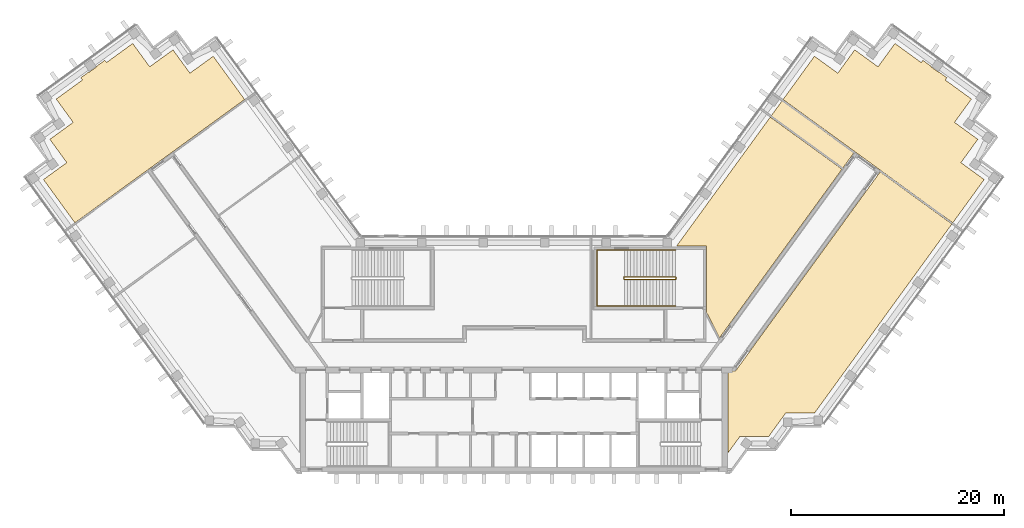
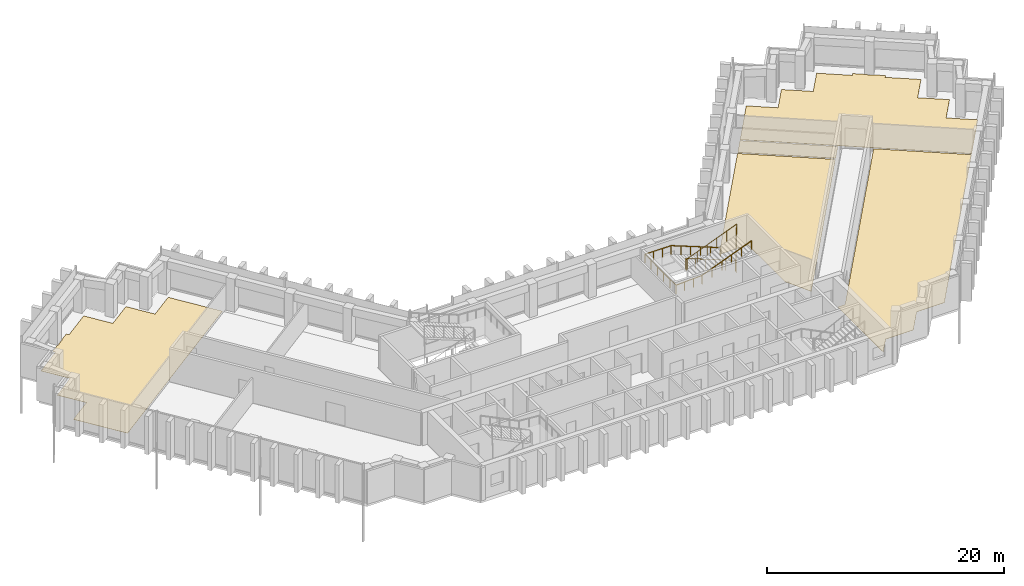
# One storey, part 13 of 13: 5 coverings, 2 railings.
"""IFC4 building model written with IfcOpenShell, lengths in metres."""

from ifc_helpers import new_model, si_unit, direction, frame, origin, origin_2d, place, context, subcontext, project, spatial, polyline, circle, outline, extrude, material, layer, layer_set, type_object, element, save


model = new_model("IFC4")

# Units and contexts
model_context = context("Model", 3, precision=1e-05, world=origin(), true_north=direction((0.0, 1.0)))
body_context = subcontext(model_context, "Body", "Model", "MODEL_VIEW")
ifc_project = project(units=[si_unit("LENGTHUNIT", "METRE"), si_unit("AREAUNIT", "SQUARE_METRE"), si_unit("VOLUMEUNIT", "CUBIC_METRE"), si_unit("PLANEANGLEUNIT", "RADIAN"), si_unit("MASSUNIT", "GRAM", prefix="KILO")], contexts=[model_context])

# Site, building, storey
site_placement = place(None, origin())
site = spatial("IfcSite", under=ifc_project, at=site_placement, CompositionType="ELEMENT")
building_placement = place(site_placement, origin())
building = spatial("IfcBuilding", under=site, at=building_placement, Name="Quipu Civic Tower", CompositionType="ELEMENT")
storey_placement = place(building_placement, frame((0.0, 0.0, 184.0)))
storey = spatial("IfcBuildingStorey", under=building, at=storey_placement, Name="L43", CompositionType="ELEMENT", Elevation=184.0)

# Coverings
ifc_material_1 = material(Name="Carpet tile on raised access floor")
ifc_layer_1 = layer(ifc_material_1, 0.02001953125)
ifc_layer_set_1 = layer_set([ifc_layer_1], Name="Carpet tile on raised access floor")
covering_type_1 = type_object("IfcCoveringType", Name="Carpet tile floor finish 20", PredefinedType="FLOORING", material=ifc_layer_set_1)
covering_1_placement = place(storey_placement, origin())
element("IfcCovering", 1, at=covering_1_placement, inside=storey, type_object=covering_type_1, Name="Carpet tile floor finish 20", PredefinedType="FLOORING", context=body_context, shape_type="SweptSolid", body=[
    extrude(outline(polyline([(-44.074951171875, 16.4140625), (-41.89208984375, 17.9990234375), (-43.47802734375, 20.18505859375), (-41.2939453125, 21.77294921875), (-42.881103515625, 23.95703125), (-40.424072265625, 25.740966796875), (-40.574951171875, 25.952880859375), (-39.81298828125, 26.507080078125), (-39.80908203125, 26.5029296875), (-39.804931640625, 26.5009765625), (-39.801025390625, 26.498046875), (-39.7958984375, 26.49609375), (-39.7919921875, 26.4951171875), (-39.787109375, 26.493896484375), (-39.781982421875, 26.492919921875), (-39.777099609375, 26.492919921875), (-39.77197265625, 26.493896484375), (-39.76806640625, 26.4951171875), (-39.762939453125, 26.49609375), (-39.758056640625, 26.498046875), (-39.75390625, 26.5), (-39.75, 26.5029296875), (-39.10302734375, 26.972900390625), (-39.09912109375, 26.97607421875), (-39.094970703125, 26.97998046875), (-39.092041015625, 26.98291015625), (-39.089111328125, 26.987060546875), (-39.0869140625, 26.991943359375), (-39.0849609375, 26.99609375), (-39.083984375, 27.0009765625), (-39.0830078125, 27.006103515625), (-39.08203125, 27.010986328125), (-39.08203125, 27.014892578125), (-39.08203125, 27.02001953125), (-39.0830078125, 27.02490234375), (-39.0849609375, 27.030029296875), (-39.0869140625, 27.033935546875), (-38.324951171875, 27.587890625), (-38.169921875, 27.37890625), (-35.712890625, 29.1640625), (-34.126953125, 26.97998046875), (-31.94091796875, 28.56591796875), (-30.35400390625, 26.383056640625), (-28.169921875, 27.968994140625), (-25.22607421875, 23.916015625), (-41.131103515625, 12.360107421875), (-44.074951171875, 16.4140625)])), origin(), (0.0, 0.0, 1.0), 0.02001953125),
])
covering_2_placement = place(storey_placement, origin())
element("IfcCovering", 2, at=covering_2_placement, inside=storey, type_object=covering_type_1, Name="Carpet tile floor finish 20", PredefinedType="FLOORING", context=body_context, shape_type="SweptSolid", body=[
    extrude(outline(polyline([(25.22607421875, 23.916015625), (28.169921875, 27.968994140625), (30.35400390625, 26.383056640625), (31.94091796875, 28.56591796875), (34.126953125, 26.97998046875), (35.712890625, 29.1640625), (38.169921875, 27.37890625), (38.324951171875, 27.587890625), (39.0869140625, 27.033935546875), (39.0849609375, 27.030029296875), (39.0830078125, 27.02490234375), (39.08203125, 27.02001953125), (39.08203125, 27.014892578125), (39.08203125, 27.010986328125), (39.0830078125, 27.006103515625), (39.083984375, 27.0009765625), (39.0849609375, 26.99609375), (39.0869140625, 26.991943359375), (39.089111328125, 26.987060546875), (39.092041015625, 26.98291015625), (39.094970703125, 26.97998046875), (39.09912109375, 26.97607421875), (39.10302734375, 26.972900390625), (39.75, 26.5029296875), (39.75390625, 26.5), (39.758056640625, 26.498046875), (39.762939453125, 26.49609375), (39.76806640625, 26.4951171875), (39.77197265625, 26.493896484375), (39.777099609375, 26.492919921875), (39.781982421875, 26.492919921875), (39.787109375, 26.493896484375), (39.7919921875, 26.4951171875), (39.7958984375, 26.49609375), (39.801025390625, 26.498046875), (39.804931640625, 26.5009765625), (39.80908203125, 26.5029296875), (39.81298828125, 26.507080078125), (40.574951171875, 25.952880859375), (40.424072265625, 25.740966796875), (42.881103515625, 23.95703125), (41.2939453125, 21.77294921875), (43.47802734375, 20.18505859375), (41.89208984375, 17.9990234375), (44.074951171875, 16.4140625), (41.131103515625, 12.360107421875), (25.22607421875, 23.916015625)])), origin(), (0.0, 0.0, 1.0), 0.02001953125),
])
covering_3_placement = place(storey_placement, origin())
element("IfcCovering", 3, at=covering_3_placement, inside=storey, type_object=covering_type_1, Name="Carpet tile floor finish 20", PredefinedType="FLOORING", context=body_context, shape_type="SweptSolid", body=[
    extrude(outline(polyline([(15.238037109375, 10.169921875), (24.029052734375, 22.26904296875), (30.751953125, 17.385986328125), (19.27197265625, 1.583984375), (18.070068359375, 3.94189453125), (18.070068359375, 10.1689453125), (15.238037109375, 10.169921875)])), origin(), (0.0, 0.0, 1.0), 0.02001953125),
])
covering_4_placement = place(storey_placement, origin())
element("IfcCovering", 4, at=covering_4_placement, inside=storey, type_object=covering_type_1, Name="Carpet tile floor finish 20", PredefinedType="FLOORING", context=body_context, shape_type="SweptSolid", body=[
    extrude(outline(polyline([(20.070068359375, -9.195068359375), (20.070068359375, -1.52001953125), (20.77490234375, -1.51904296875), (34.324951171875, 17.131103515625), (41.048095703125, 12.2470703125), (28.181884765625, -5.4609375), (25.48193359375, -5.4619140625), (23.89501953125, -7.64599609375), (21.196044921875, -7.64599609375), (20.070068359375, -9.195068359375)])), origin(), (0.0, 0.0, 1.0), 0.02001953125),
])
ifc_material_2 = material(Name="Ceramic floor tile")
ifc_layer_2 = layer(ifc_material_2, 0.030029296875)
ifc_layer_set_2 = layer_set([ifc_layer_2], Name="Ceramic floor tile")
covering_type_2 = type_object("IfcCoveringType", Name="Ceramic tile floor finish 30", PredefinedType="FLOORING", material=ifc_layer_set_2)
covering_5_placement = place(storey_placement, origin())
element("IfcCovering", 5, at=covering_5_placement, inside=storey, type_object=covering_type_2, Name="Ceramic tile floor finish 30", PredefinedType="FLOORING", context=body_context, shape_type="SweptSolid", body=[
    extrude(outline(polyline([(24.112060546875, 22.382080078125), (25.14306640625, 23.802978515625), (31.865966796875, 18.9189453125), (30.8349609375, 17.4990234375), (24.112060546875, 22.382080078125)])), origin(), (0.0, 0.0, 1.0), 0.030029296875),
])

# Railings
ifc_material_3 = material(Name="Stainless steel", Category="steel")
railing_type_1 = type_object("IfcRailingType", Name="Stair guard 1100", PredefinedType="GUARDRAIL", material=ifc_material_3)
railing_1_placement = place(storey_placement, frame((15.14990234375, 7.300048828125, 0.11767578125)))
element("IfcRailing", 6, at=railing_1_placement, inside=storey, type_object=railing_type_1, Name="Stair 4 guard", PredefinedType="GUARDRAIL", context=body_context, shape_type="SweptSolid", body=[
    extrude(circle(Radius=0.02392578125, at=origin_2d()), frame((0.0, 0.0, 1.076171875), z_axis=(-0.930970042603, 0.0, 0.365095576219), x_axis=(0.0, -1.0, 0.0)), (0.0, 0.0, 1.0), 5.15576171875),
    extrude(circle(Radius=0.02392578125, at=origin_2d()), frame((-4.7998046875, 0.0, 2.95849609375), z_axis=(-0.707106781187, -0.707106781187, 0.0), x_axis=(0.707106781187, -0.707106781187, 0.0)), (0.0, 0.0, 1.0), 0.07080078125),
    extrude(circle(Radius=0.02392578125, at=origin_2d()), frame((-4.849853515625, -0.050048828125, 2.95849609375), z_axis=(0.0, -1.0, 0.0), x_axis=(1.0, 0.0, 0.0)), (0.0, 0.0, 1.0), 0.14990234375),
    extrude(circle(Radius=0.02392578125, at=origin_2d()), frame((-4.849853515625, -0.199951171875, 2.95849609375), z_axis=(0.364463019033, -0.364463019033, 0.856932561824), x_axis=(0.707106781187, 0.707106781187, 0.0)), (0.0, 0.0, 1.0), 0.13720703125),
    extrude(circle(Radius=0.02392578125, at=origin_2d()), frame((-4.7998046875, -0.25, 3.076171875), z_axis=(0.930970042603, 0.0, 0.365095576219), x_axis=(0.0, 1.0, 0.0)), (0.0, 0.0, 1.0), 5.15576171875),
    extrude(circle(Radius=0.02392578125, at=origin_2d()), frame((0.0, -0.25, 4.95849609375), z_axis=(0.012495627992, 0.049921557685, -0.998674970829), x_axis=(-0.970072785993, 0.242814311512, 0.0)), (0.0, 0.0, 1.0), 4.00537109375),
    extrude(circle(Radius=0.02392578125, at=origin_2d()), frame((0.050048828125, -0.050048828125, 0.95849609375), z_axis=(0.0, -1.0, 0.0), x_axis=(1.0, 0.0, 0.0)), (0.0, 0.0, 1.0), 0.14990234375),
    extrude(circle(Radius=0.02099609375, at=origin_2d()), origin(), (0.0, 0.0, 1.0), 1.052001953125),
    extrude(circle(Radius=0.02099609375, at=origin_2d()), frame((-0.9599609375, 0.0, 0.37646484375)), (0.0, 0.0, 1.0), 1.052001953125),
    extrude(circle(Radius=0.02099609375, at=origin_2d()), frame((-1.919921875, 0.0, 0.7529296875)), (0.0, 0.0, 1.0), 1.052001953125),
    extrude(circle(Radius=0.02099609375, at=origin_2d()), frame((-2.8798828125, 0.0, 1.12939453125)), (0.0, 0.0, 1.0), 1.052001953125),
    extrude(circle(Radius=0.02099609375, at=origin_2d()), frame((-3.83984375, 0.0, 1.505859375)), (0.0, 0.0, 1.0), 1.052001953125),
    extrude(circle(Radius=0.02099609375, at=origin_2d()), frame((-4.7998046875, 0.0, 1.88232421875)), (0.0, 0.0, 1.0), 1.052001953125),
    extrude(circle(Radius=0.02099609375, at=origin_2d()), frame((-4.849853515625, -0.050048828125, 1.88232421875)), (0.0, 0.0, 1.0), 1.052001953125),
    extrude(circle(Radius=0.02099609375, at=origin_2d()), frame((-4.849853515625, -0.199951171875, 1.88232421875)), (0.0, 0.0, 1.0), 1.052001953125),
    extrude(circle(Radius=0.02099609375, at=origin_2d()), frame((-4.7998046875, -0.25, 2.0)), (0.0, 0.0, 1.0), 1.052001953125),
    extrude(circle(Radius=0.02099609375, at=origin_2d()), frame((-3.83984375, -0.25, 2.37646484375)), (0.0, 0.0, 1.0), 1.052001953125),
    extrude(circle(Radius=0.02099609375, at=origin_2d()), frame((-2.8798828125, -0.25, 2.7529296875)), (0.0, 0.0, 1.0), 1.052001953125),
    extrude(circle(Radius=0.02099609375, at=origin_2d()), frame((-1.919921875, -0.25, 3.12939453125)), (0.0, 0.0, 1.0), 1.052001953125),
    extrude(circle(Radius=0.02099609375, at=origin_2d()), frame((-0.9599609375, -0.25, 3.505859375)), (0.0, 0.0, 1.0), 1.052001953125),
    extrude(circle(Radius=0.02099609375, at=origin_2d()), frame((0.0, -0.25, 3.88232421875)), (0.0, 0.0, 1.0), 1.052001953125),
    extrude(circle(Radius=0.02099609375, at=origin_2d()), frame((0.012451171875, -0.199951171875, 2.88232421875)), (0.0, 0.0, 1.0), 1.052001953125),
    extrude(circle(Radius=0.02099609375, at=origin_2d()), frame((0.02490234375, -0.14990234375, 1.88232421875)), (0.0, 0.0, 1.0), 1.052001953125),
    extrude(circle(Radius=0.02099609375, at=origin_2d()), frame((0.03759765625, -0.10009765625, 0.88232421875)), (0.0, 0.0, 1.0), 1.052001953125),
    extrude(circle(Radius=0.02099609375, at=origin_2d()), frame((0.050048828125, -0.050048828125, -0.11767578125)), (0.0, 0.0, 1.0), 1.052001953125),
    extrude(circle(Radius=0.02099609375, at=origin_2d()), frame((0.050048828125, -0.199951171875, -0.11767578125)), (0.0, 0.0, 1.0), 1.052001953125),
])
ifc_material_4 = material(Name="Stainless steel", Category="steel")
railing_type_2 = type_object("IfcRailingType", Name="Stair handrail", PredefinedType="HANDRAIL", material=ifc_material_4)
railing_2_placement = place(storey_placement, frame((15.14990234375, 9.800048828125, 0.11767578125)))
element("IfcRailing", 7, at=railing_2_placement, inside=storey, type_object=railing_type_2, Name="Stair 4 handrail", PredefinedType="HANDRAIL", context=body_context, shape_type="SweptSolid", body=[
    extrude(circle(Radius=0.02392578125, at=origin_2d()), frame((0.0, 0.0, 0.8759765625), z_axis=(-0.930970042603, 0.0, 0.365095576219), x_axis=(0.0, -1.0, 0.0)), (0.0, 0.0, 1.0), 5.15576171875),
    extrude(circle(Radius=0.02392578125, at=origin_2d()), frame((-4.7998046875, 0.0, 2.75830078125), z_axis=(-1.0, 0.0, 0.0), x_axis=(0.0, -1.0, 0.0)), (0.0, 0.0, 1.0), 2.550048828125),
    extrude(circle(Radius=0.02392578125, at=origin_2d()), frame((-7.349853515625, 0.0, 2.75830078125), z_axis=(0.0, -1.0, 0.0), x_axis=(1.0, 0.0, 0.0)), (0.0, 0.0, 1.0), 5.25),
    extrude(circle(Radius=0.02392578125, at=origin_2d()), frame((-7.349853515625, -5.25, 2.75830078125), z_axis=(0.998936948642, 0.0, 0.04609742549), x_axis=(0.0, 1.0, 0.0)), (0.0, 0.0, 1.0), 2.552734375),
    extrude(circle(Radius=0.02392578125, at=origin_2d()), frame((-4.7998046875, -5.25, 2.8759765625), z_axis=(0.930970042603, 0.0, 0.365095576219), x_axis=(0.0, 1.0, 0.0)), (0.0, 0.0, 1.0), 5.15576171875),
    extrude(circle(Radius=0.02099609375, at=origin_2d()), origin(), (0.0, 0.0, 1.0), 0.851806640625),
    extrude(circle(Radius=0.02099609375, at=origin_2d()), frame((-0.9599609375, 0.0, 0.37646484375)), (0.0, 0.0, 1.0), 0.851806640625),
    extrude(circle(Radius=0.02099609375, at=origin_2d()), frame((-1.919921875, 0.0, 0.7529296875)), (0.0, 0.0, 1.0), 0.851806640625),
    extrude(circle(Radius=0.02099609375, at=origin_2d()), frame((-2.8798828125, 0.0, 1.12939453125)), (0.0, 0.0, 1.0), 0.851806640625),
    extrude(circle(Radius=0.02099609375, at=origin_2d()), frame((-3.83984375, 0.0, 1.505859375)), (0.0, 0.0, 1.0), 0.851806640625),
    extrude(circle(Radius=0.02099609375, at=origin_2d()), frame((-4.7998046875, 0.0, 1.88232421875)), (0.0, 0.0, 1.0), 0.851806640625),
    extrude(circle(Radius=0.02099609375, at=origin_2d()), frame((-5.64990234375, 0.0, 1.88232421875)), (0.0, 0.0, 1.0), 0.851806640625),
    extrude(circle(Radius=0.02099609375, at=origin_2d()), frame((-6.499755859375, 0.0, 1.88232421875)), (0.0, 0.0, 1.0), 0.851806640625),
    extrude(circle(Radius=0.02099609375, at=origin_2d()), frame((-7.349853515625, 0.0, 1.88232421875)), (0.0, 0.0, 1.0), 0.851806640625),
    extrude(circle(Radius=0.02099609375, at=origin_2d()), frame((-7.349853515625, -1.050048828125, 1.88232421875)), (0.0, 0.0, 1.0), 0.851806640625),
    extrude(circle(Radius=0.02099609375, at=origin_2d()), frame((-7.349853515625, -2.10009765625, 1.88232421875)), (0.0, 0.0, 1.0), 0.851806640625),
    extrude(circle(Radius=0.02099609375, at=origin_2d()), frame((-7.349853515625, -3.14990234375, 1.88232421875)), (0.0, 0.0, 1.0), 0.851806640625),
    extrude(circle(Radius=0.02099609375, at=origin_2d()), frame((-7.349853515625, -4.199951171875, 1.88232421875)), (0.0, 0.0, 1.0), 0.851806640625),
    extrude(circle(Radius=0.02099609375, at=origin_2d()), frame((-7.349853515625, -5.25, 1.88232421875)), (0.0, 0.0, 1.0), 0.851806640625),
    extrude(circle(Radius=0.02099609375, at=origin_2d()), frame((-6.499755859375, -5.25, 1.921630859375)), (0.0, 0.0, 1.0), 0.851806640625),
    extrude(circle(Radius=0.02099609375, at=origin_2d()), frame((-5.64990234375, -5.25, 1.960693359375)), (0.0, 0.0, 1.0), 0.851806640625),
    extrude(circle(Radius=0.02099609375, at=origin_2d()), frame((-4.7998046875, -5.25, 2.0)), (0.0, 0.0, 1.0), 0.851806640625),
    extrude(circle(Radius=0.02099609375, at=origin_2d()), frame((-3.83984375, -5.25, 2.37646484375)), (0.0, 0.0, 1.0), 0.851806640625),
    extrude(circle(Radius=0.02099609375, at=origin_2d()), frame((-2.8798828125, -5.25, 2.7529296875)), (0.0, 0.0, 1.0), 0.851806640625),
    extrude(circle(Radius=0.02099609375, at=origin_2d()), frame((-1.919921875, -5.25, 3.12939453125)), (0.0, 0.0, 1.0), 0.851806640625),
    extrude(circle(Radius=0.02099609375, at=origin_2d()), frame((-0.9599609375, -5.25, 3.505859375)), (0.0, 0.0, 1.0), 0.851806640625),
    extrude(circle(Radius=0.02099609375, at=origin_2d()), frame((0.0, -5.25, 3.88232421875)), (0.0, 0.0, 1.0), 0.851806640625),
])

save(model, "model.ifc")
